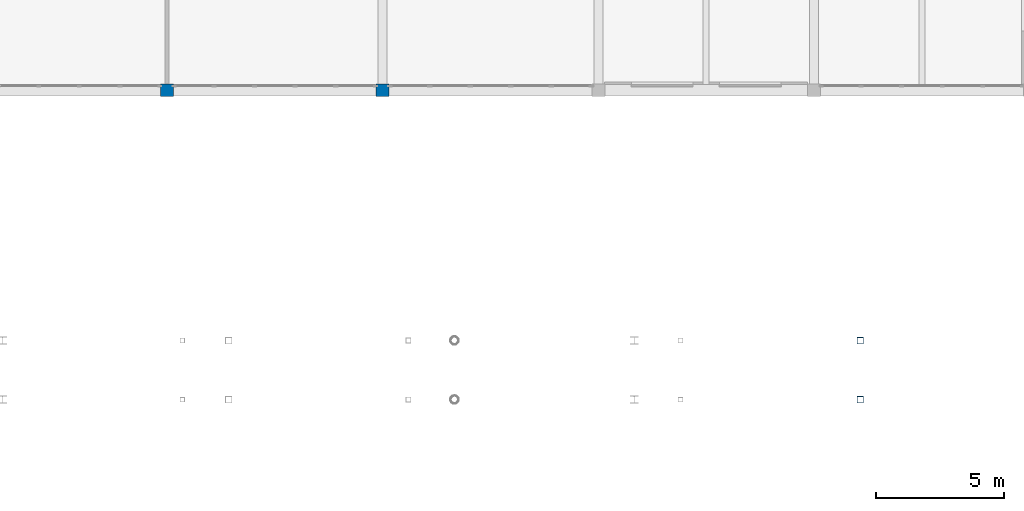
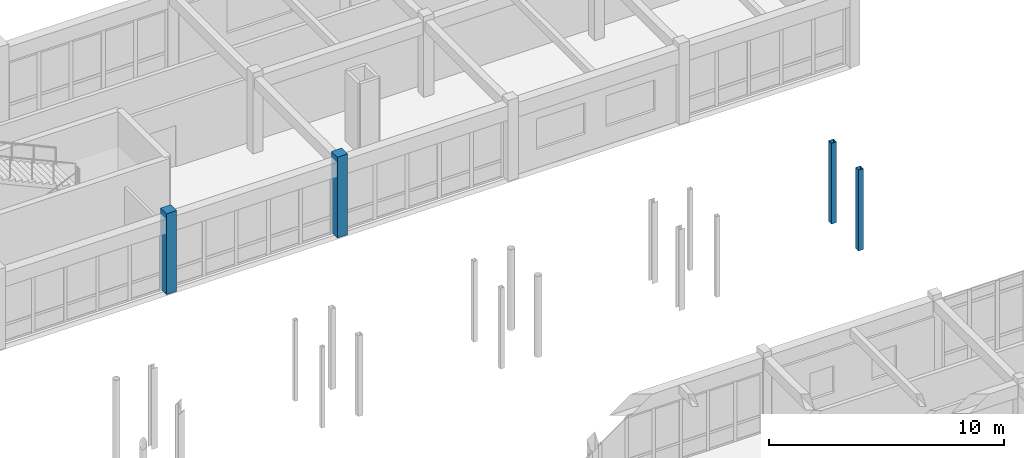
# One storey, part 18 of 89: 4 columns.
"""IFC4 building model written with IfcOpenShell, lengths in metres."""

from ifc_helpers import new_model, si_unit, direction, frame, origin, origin_2d, place, context, subcontext, project, spatial, rectangle, hollow_rectangle, extrude, material, material_profile, profile_set, type_object, element, save


model = new_model("IFC4")

# Units and contexts
model_context = context("Model", 3, precision=1e-05, world=origin(), true_north=direction((0.0, 1.0)))
body_context = subcontext(model_context, "Body", "Model", "MODEL_VIEW")
ifc_project = project(units=[si_unit("LENGTHUNIT", "METRE"), si_unit("AREAUNIT", "SQUARE_METRE"), si_unit("VOLUMEUNIT", "CUBIC_METRE"), si_unit("PLANEANGLEUNIT", "RADIAN"), si_unit("MASSUNIT", "GRAM", prefix="KILO")], contexts=[model_context])

# Site, building, storey
site_placement = place(None, origin())
site = spatial("IfcSite", under=ifc_project, at=site_placement, CompositionType="ELEMENT")
building_placement = place(site_placement, origin())
building = spatial("IfcBuilding", under=site, at=building_placement, Name="Malvenik Polytechnic", CompositionType="ELEMENT")
storey_placement = place(building_placement, frame((0.0, 0.0, 13.5)))
storey = spatial("IfcBuildingStorey", under=building, at=storey_placement, Name="L03", CompositionType="ELEMENT", Elevation=13.5)

# Columns
ifc_material_1 = material(Name="Concrete C35/45", Category="concrete")
ifc_material_profile_1 = material_profile(ifc_material_1, rectangle(XDim=0.5, YDim=0.5, at=origin_2d()), Name="RC COL 500x500")
ifc_profile_set_1 = profile_set([ifc_material_profile_1], Name="Concrete C35/45")
column_type_1 = type_object("IfcColumnType", Name="STR-COL-C-08", PredefinedType="COLUMN", material=ifc_profile_set_1)
for number, where, z_axis, x_axis, name in (
    (1, (100.800048828125, 115.199951171875, 0.0), (0.0, 0.0, 1.0), (1.0, 0.0, 0.0), "Column C-08 L03 (100.8,115.2)"),
    (2, (109.199951171875, 115.199951171875, 0.0), (0.0, 0.0, 1.0), (1.0, 0.0, 0.0), "Column C-08 L03 (109.2,115.2)"),
):
    element("IfcColumn", number, at=place(storey_placement, frame(where, z_axis=z_axis, x_axis=x_axis)), inside=storey, type_object=column_type_1, Name=name, PredefinedType="COLUMN", context=body_context, shape_type="SweptSolid", body=[
        extrude(rectangle(XDim=0.5, YDim=0.5, at=origin_2d()), origin(), (0.0, 0.0, 1.0), 4.199951171875),
    ])
ifc_material_2 = material(Name="Steel S355J2H", Category="steel")
ifc_material_profile_2 = material_profile(ifc_material_2, hollow_rectangle(XDim=0.25, YDim=0.25, WallThickness=0.010009765625, at=origin_2d()), Name="SHS 250x250x10.0")
ifc_profile_set_2 = profile_set([ifc_material_profile_2], Name="Steel S355J2H")
column_type_2 = type_object("IfcColumnType", Name="STR-SCOL-SC-01", PredefinedType="COLUMN", material=ifc_profile_set_2)
for number, where, z_axis, x_axis, name in (
    (3, (127.800048828125, 103.14990234375, 0.0), (0.0, 0.0, 1.0), (1.0, 0.0, 0.0), "Bridge-Ramp Support Column SC-01 L03"),
    (4, (127.800048828125, 105.449951171875, 0.0), (0.0, 0.0, 1.0), (1.0, 0.0, 0.0), "Bridge-Ramp Support Column SC-01 L03"),
):
    element("IfcColumn", number, at=place(storey_placement, frame(where, z_axis=z_axis, x_axis=x_axis)), inside=storey, type_object=column_type_2, Name=name, PredefinedType="COLUMN", context=body_context, shape_type="SweptSolid", body=[
        extrude(hollow_rectangle(XDim=0.25, YDim=0.25, WallThickness=0.010009765625, at=origin_2d()), origin(), (0.0, 0.0, 1.0), 4.199951171875),
    ])

save(model, "model.ifc")
